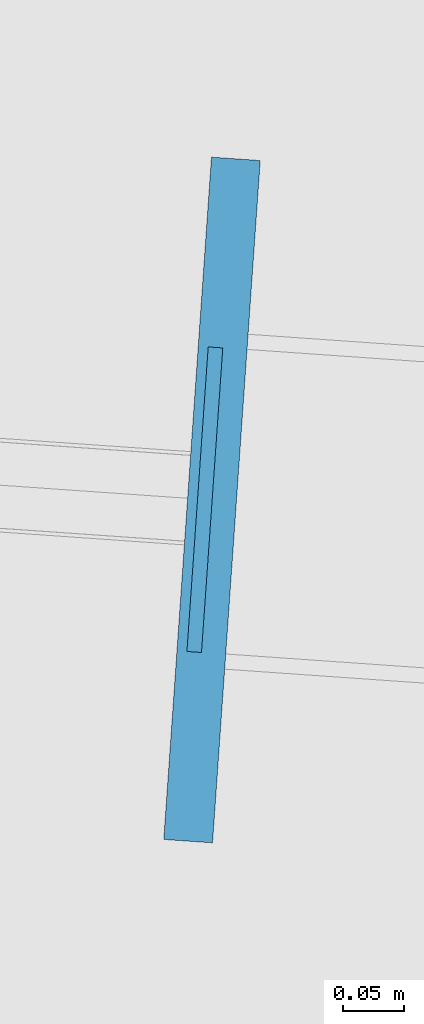
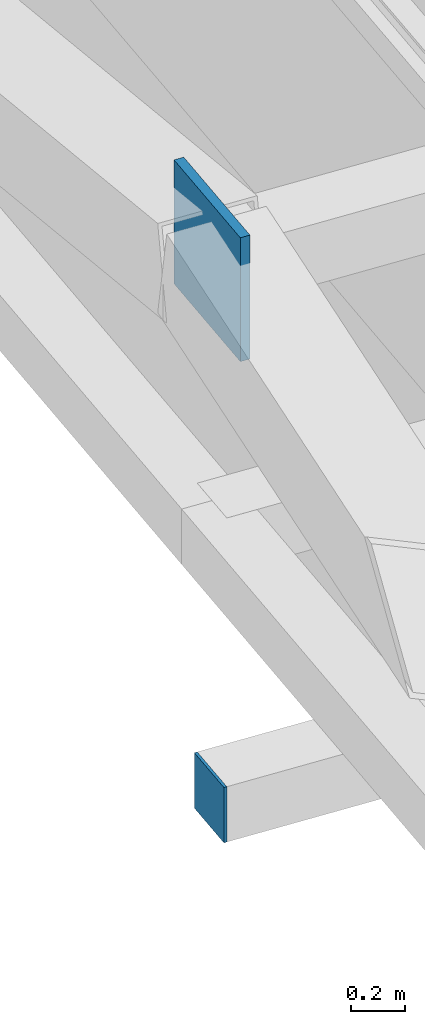
# One storey, part 29 of 39: 2 plates.
"""IFC4 building model written with IfcOpenShell, lengths in metres."""

from ifc_helpers import new_model, si_unit, direction, frame, origin, origin_2d, place, context, subcontext, project, spatial, rectangle, extrude, source, transform, mapped, material, layer, layer_set, type_object, element, save


model = new_model("IFC4")

# Units and contexts
model_context = context("Model", 3, precision=1e-05, world=origin(), true_north=direction((0.0, 1.0)))
body_context = subcontext(model_context, "Body", "Model", "MODEL_VIEW")
ifc_project = project(units=[si_unit("LENGTHUNIT", "METRE"), si_unit("AREAUNIT", "SQUARE_METRE"), si_unit("VOLUMEUNIT", "CUBIC_METRE"), si_unit("PLANEANGLEUNIT", "RADIAN"), si_unit("MASSUNIT", "GRAM", prefix="KILO")], contexts=[model_context])

# Site, building, storey
site_placement = place(None, origin())
site = spatial("IfcSite", under=ifc_project, at=site_placement, CompositionType="ELEMENT")
building_placement = place(site_placement, origin())
building = spatial("IfcBuilding", under=site, at=building_placement, Name="Taldren Reach Tower", CompositionType="ELEMENT")
storey_placement = place(building_placement, frame((0.0, 0.0, 151.89990234375)))
storey = spatial("IfcBuildingStorey", under=building, at=storey_placement, Name="L46", CompositionType="ELEMENT", Elevation=151.89990234375)

# Plates
ifc_material_1 = material(Name="Steel Gr 450 (C450L0)", Category="steel")
ifc_layer_1 = layer(ifc_material_1, 0.0400390625)
ifc_layer_set_1 = layer_set([ifc_layer_1], Name="Steel Gr 450 (C450L0)")
plate_type_1 = type_object("IfcPlateType", Name="PL-GUSSET-40", PredefinedType="SHEET", material=ifc_layer_set_1)
shared_shape_1 = source(origin(), body_context, "Body", "SweptSolid", [
    extrude(rectangle(XDim=0.56005859375, YDim=0.0400390625, at=origin_2d()), origin(), (0.0, 0.0, 1.0), 0.56005859375),
])
plate_1_placement = place(storey_placement, frame((8.3154296875, 21.9765625, 2.3701171875), z_axis=(0.0, 0.0, 1.0), x_axis=(0.069756473744, 0.99756405026, 0.0)))
element("IfcPlate", 1, at=plate_1_placement, inside=storey, type_object=plate_type_1, Name="Exoskeleton star-node gusset plate B3-W2 L46", PredefinedType="SHEET", context=body_context, shape_type="MappedRepresentation", body=[
    mapped(shared_shape_1, transform((0.0, 0.0, 0.0), scale=1.0)),
])
ifc_material_2 = material(Name="Steel Gr 350 (C350L0)", Category="steel")
ifc_layer_2 = layer(ifc_material_2, 0.011962890625)
ifc_layer_set_2 = layer_set([ifc_layer_2], Name="Steel Gr 350 (C350L0)")
plate_type_2 = type_object("IfcPlateType", Name="PL-CAP-250", PredefinedType="SHEET", material=ifc_layer_set_2)
shared_shape_2 = source(origin(), body_context, "Body", "SweptSolid", [
    extrude(rectangle(XDim=0.011962890625, YDim=0.25, at=origin_2d()), origin(), (0.0, 0.0, 1.0), 0.25),
])
plate_2_placement = place(storey_placement, frame((8.3095703125, 21.976806640625, 0.09521484375), z_axis=(0.0, 0.0, 1.0), x_axis=(0.99756405026, -0.069756473744, 0.0)))
element("IfcPlate", 2, at=plate_2_placement, inside=storey, type_object=plate_type_2, Name="Tie strut end cap plate B3-W2 L46", PredefinedType="SHEET", context=body_context, shape_type="MappedRepresentation", body=[
    mapped(shared_shape_2, transform((0.0, 0.0, 0.0), scale=1.0)),
])

save(model, "model.ifc")
